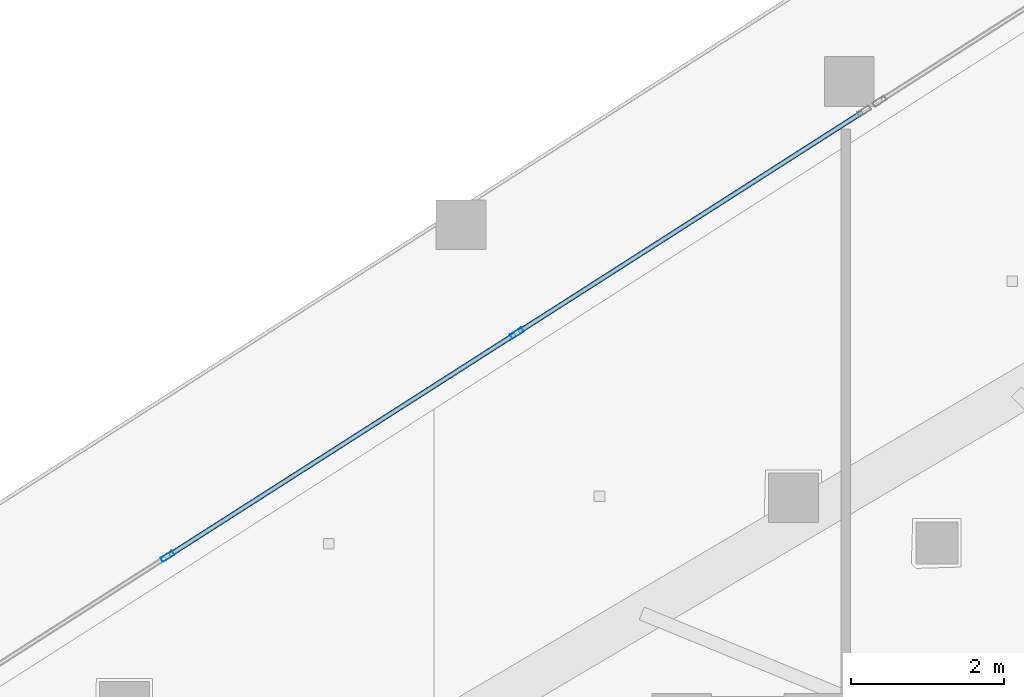
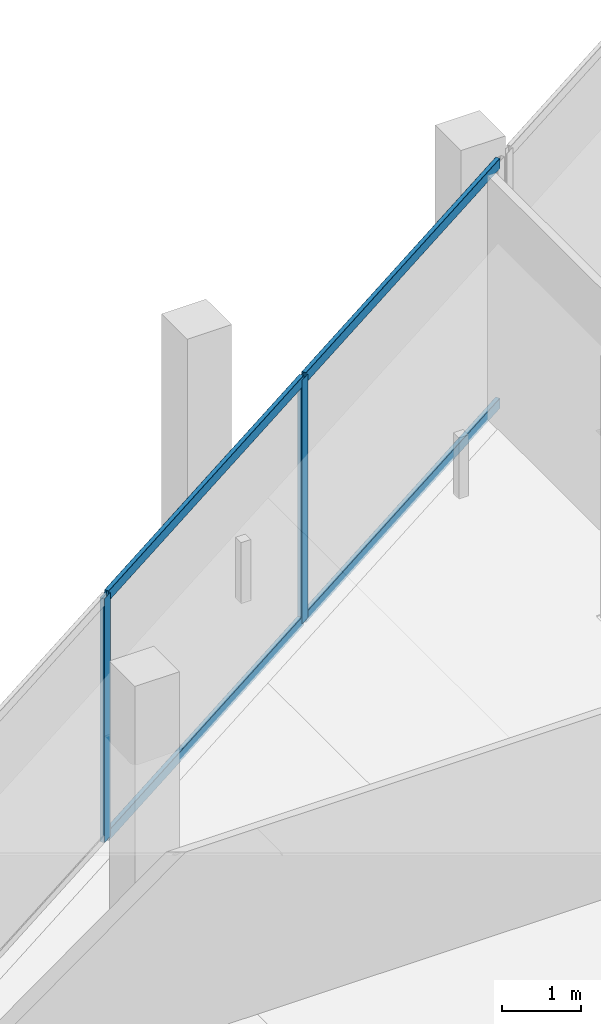
# One storey, part 15 of 42: 6 members, 1 element without a shape of its own.
"""IFC4 building model written with IfcOpenShell, lengths in metres."""

from ifc_helpers import new_model, si_unit, direction, frame, origin, origin_2d, place, context, subcontext, project, spatial, hollow_rectangle, extrude, material, layer, layer_set, material_profile, profile_set, type_object, element, aggregate, save


model = new_model("IFC4")

# Units and contexts
model_context = context("Model", 3, precision=1e-05, world=origin(), true_north=direction((0.0, 1.0)))
body_context = subcontext(model_context, "Body", "Model", "MODEL_VIEW")
ifc_project = project(units=[si_unit("LENGTHUNIT", "METRE"), si_unit("AREAUNIT", "SQUARE_METRE"), si_unit("VOLUMEUNIT", "CUBIC_METRE"), si_unit("PLANEANGLEUNIT", "RADIAN"), si_unit("MASSUNIT", "GRAM", prefix="KILO")], contexts=[model_context])

# Site, building, storey
site_placement = place(None, origin())
site = spatial("IfcSite", under=ifc_project, at=site_placement, CompositionType="ELEMENT")
building_placement = place(site_placement, origin())
building = spatial("IfcBuilding", under=site, at=building_placement, Name="Qorvath Tower", CompositionType="ELEMENT")
storey_placement = place(building_placement, frame((0.0, 0.0, 121.949951171875)))
storey = spatial("IfcBuildingStorey", under=building, at=storey_placement, Name="L27", CompositionType="ELEMENT", Elevation=121.949951171875)

# Curtain wall, members
ifc_material_1 = material(Name="Anodised aluminium and triple low-E glass", Category="aluminium")
ifc_layer = layer(ifc_material_1, 0.179931640625)
ifc_layer_set = layer_set([ifc_layer], Name="CW-SYS-2")
curtain_wall_type = type_object("IfcCurtainWallType", Name="CW-SYS-2", PredefinedType="NOTDEFINED", material=ifc_layer_set)
curtain_wall_placement = place(storey_placement, origin())
curtain_wall = element("IfcCurtainWall", 1, at=curtain_wall_placement, inside=storey, type_object=curtain_wall_type, Name="Curtain Wall CW-2 CW-T-L27-16.3", PredefinedType="NOTDEFINED")
ifc_material_2 = material(Name="Anodised aluminium 6063-T6", Category="aluminium")
ifc_material_profile_1 = material_profile(ifc_material_2, hollow_rectangle(XDim=0.06494140625, YDim=0.179931640625, WallThickness=0.00341796875, InnerFilletRadius=0.00341796875, OuterFilletRadius=0.007080078125, at=origin_2d()), Name="CWM 180x65")
ifc_profile_set_1 = profile_set([ifc_material_profile_1], Name="Anodised aluminium 6063-T6")
member_type_1 = type_object("IfcMemberType", Name="CWM-180", PredefinedType="MULLION", material=ifc_profile_set_1)
member_1_placement = place(storey_placement, frame((-39.60107421875, 15.537109375, 0.0), z_axis=(0.0, 0.0, 1.0), x_axis=(0.538534177075, -0.842603667285, 0.0)))
member_1 = element("IfcMember", 2, at=member_1_placement, type_object=member_type_1, Name="CW-2 mullion 2", PredefinedType="MULLION", context=body_context, shape_type="SweptSolid", body=[
    extrude(hollow_rectangle(XDim=0.06494140625, YDim=0.179931640625, WallThickness=0.00341796875, InnerFilletRadius=0.00341796875, OuterFilletRadius=0.007080078125, at=origin_2d()), origin(), (0.0, 0.0, 1.0), 3.77001953125),
])
member_2_placement = place(storey_placement, frame((-44.173095703125, 12.614990234375, 0.0), z_axis=(0.0, 0.0, 1.0), x_axis=(0.538534177075, -0.842603667285, 0.0)))
member_2 = element("IfcMember", 3, at=member_2_placement, type_object=member_type_1, Name="CW-2 mullion 3", PredefinedType="MULLION", context=body_context, shape_type="SweptSolid", body=[
    extrude(hollow_rectangle(XDim=0.06494140625, YDim=0.179931640625, WallThickness=0.00341796875, InnerFilletRadius=0.00341796875, OuterFilletRadius=0.007080078125, at=origin_2d()), origin(), (0.0, 0.0, 1.0), 3.77001953125),
])
ifc_material_3 = material(Name="Anodised aluminium 6063-T6", Category="aluminium")
ifc_material_profile_2 = material_profile(ifc_material_3, hollow_rectangle(XDim=0.06494140625, YDim=0.159912109375, WallThickness=0.00341796875, InnerFilletRadius=0.00341796875, OuterFilletRadius=0.007080078125, at=origin_2d()), Name="CWT 160x65")
ifc_profile_set_2 = profile_set([ifc_material_profile_2], Name="Anodised aluminium 6063-T6")
member_type_2 = type_object("IfcMemberType", Name="CWT-160", PredefinedType="USERDEFINED", material=ifc_profile_set_2)
member_3_placement = place(storey_placement, frame((-35.083984375, 18.42431640625, 0.032470703125), z_axis=(-0.842595771585, -0.53854653068, 0.0), x_axis=(0.53854653068, -0.842595771585, 0.0)))
member_3 = element("IfcMember", 4, at=member_3_placement, type_object=member_type_2, Name="CW-2 transom 1.1", ObjectType="TRANSOM", PredefinedType="USERDEFINED", context=body_context, shape_type="SweptSolid", body=[
    extrude(hollow_rectangle(XDim=0.06494140625, YDim=0.159912109375, WallThickness=0.00341796875, InnerFilletRadius=0.00341796875, OuterFilletRadius=0.007080078125, at=origin_2d()), origin(), (0.0, 0.0, 1.0), 5.328369140625),
])
member_4_placement = place(storey_placement, frame((-35.083984375, 18.42431640625, 3.737548828125), z_axis=(-0.842595771585, -0.53854653068, 0.0), x_axis=(0.53854653068, -0.842595771585, 0.0)))
member_4 = element("IfcMember", 5, at=member_4_placement, type_object=member_type_2, Name="CW-2 transom 1.2", ObjectType="TRANSOM", PredefinedType="USERDEFINED", context=body_context, shape_type="SweptSolid", body=[
    extrude(hollow_rectangle(XDim=0.06494140625, YDim=0.159912109375, WallThickness=0.00341796875, InnerFilletRadius=0.00341796875, OuterFilletRadius=0.007080078125, at=origin_2d()), origin(), (0.0, 0.0, 1.0), 5.328369140625),
])
member_5_placement = place(storey_placement, frame((-39.62841796875, 15.51953125, 0.032470703125), z_axis=(-0.842621067422, -0.538506951428, 0.0), x_axis=(0.538506951428, -0.842621067422, 0.0)))
member_5 = element("IfcMember", 6, at=member_5_placement, type_object=member_type_2, Name="CW-2 transom 2.1", ObjectType="TRANSOM", PredefinedType="USERDEFINED", context=body_context, shape_type="SweptSolid", body=[
    extrude(hollow_rectangle(XDim=0.06494140625, YDim=0.159912109375, WallThickness=0.00341796875, InnerFilletRadius=0.00341796875, OuterFilletRadius=0.007080078125, at=origin_2d()), origin(), (0.0, 0.0, 1.0), 5.361083984375),
])
member_6_placement = place(storey_placement, frame((-39.62841796875, 15.51953125, 3.737548828125), z_axis=(-0.842621067422, -0.538506951428, 0.0), x_axis=(0.538506951428, -0.842621067422, 0.0)))
member_6 = element("IfcMember", 7, at=member_6_placement, type_object=member_type_2, Name="CW-2 transom 2.2", ObjectType="TRANSOM", PredefinedType="USERDEFINED", context=body_context, shape_type="SweptSolid", body=[
    extrude(hollow_rectangle(XDim=0.06494140625, YDim=0.159912109375, WallThickness=0.00341796875, InnerFilletRadius=0.00341796875, OuterFilletRadius=0.007080078125, at=origin_2d()), origin(), (0.0, 0.0, 1.0), 5.361083984375),
])
aggregate(curtain_wall, [member_1, member_2, member_3, member_4, member_5, member_6])

save(model, "model.ifc")
